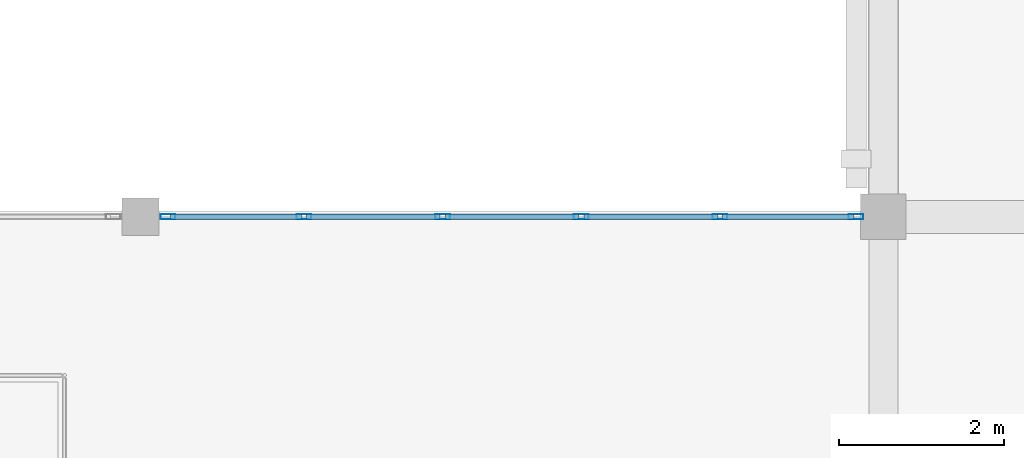
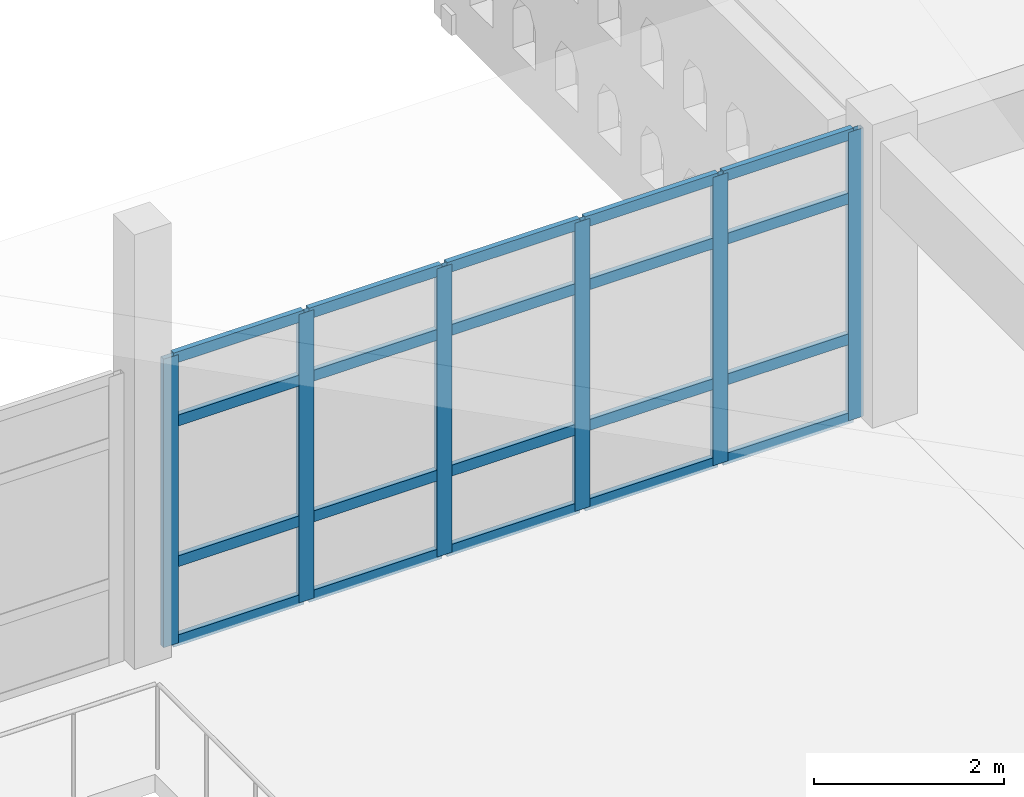
# One storey, part 79 of 156: 26 members, 1 element without a shape of its own.
"""IFC4 building model written with IfcOpenShell, lengths in metres."""

from ifc_helpers import new_model, si_unit, direction, frame, origin, origin_2d, place, context, subcontext, project, spatial, hollow_rectangle, extrude, material, layer, layer_set, material_profile, profile_set, type_object, element, aggregate, save


model = new_model("IFC4")

# Units and contexts
model_context = context("Model", 3, precision=1e-05, world=origin(), true_north=direction((0.0, 1.0)))
body_context = subcontext(model_context, "Body", "Model", "MODEL_VIEW")
ifc_project = project(units=[si_unit("LENGTHUNIT", "METRE"), si_unit("AREAUNIT", "SQUARE_METRE"), si_unit("VOLUMEUNIT", "CUBIC_METRE"), si_unit("PLANEANGLEUNIT", "RADIAN"), si_unit("MASSUNIT", "GRAM", prefix="KILO")], contexts=[model_context])

# Site, building, storey
site_placement = place(None, origin())
site = spatial("IfcSite", under=ifc_project, at=site_placement, CompositionType="ELEMENT")
building_placement = place(site_placement, origin())
building = spatial("IfcBuilding", under=site, at=building_placement, Name="Ornek Quay Market", CompositionType="ELEMENT")
storey_placement = place(building_placement, frame((0.0, 0.0, 4.5)))
storey = spatial("IfcBuildingStorey", under=building, at=storey_placement, Name="L01", CompositionType="ELEMENT", Elevation=4.5)

# Curtain wall, members
ifc_material_1 = material(Name="Anodised bronze aluminium and triple low-e glass", Category="aluminium")
ifc_layer = layer(ifc_material_1, 0.199951171875, Name="Anodised bronze aluminium and triple low-e glass", Category="aluminium")
ifc_layer_set = layer_set([ifc_layer], Name="Anodised bronze aluminium and triple low-e glass")
curtain_wall_type = type_object("IfcCurtainWallType", Name="CW-CONC-MOD1800", PredefinedType="USERDEFINED", material=ifc_layer_set)
curtain_wall_placement = place(storey_placement, origin())
curtain_wall = element("IfcCurtainWall", 1, at=curtain_wall_placement, inside=storey, type_object=curtain_wall_type, Name="Curtain wall CW-043", ObjectType="CURTAIN WALL", PredefinedType="USERDEFINED")
ifc_material_2 = material(Name="Anodised aluminium 6063-T6", Category="aluminium")
ifc_material_profile_1 = material_profile(ifc_material_2, hollow_rectangle(XDim=0.06494140625, YDim=0.179931640625, WallThickness=0.00439453125, at=origin_2d()), Name="CW-MUL-65x180", Category="aluminium")
ifc_profile_set_1 = profile_set([ifc_material_profile_1], Name="Anodised aluminium 6063-T6")
member_type_1 = type_object("IfcMemberType", Name="CW-MUL-65x180", PredefinedType="MULLION", material=ifc_profile_set_1)
member_1_placement = place(storey_placement, frame((144.33251953125, 29.0, 0.0), z_axis=(0.0, 0.0, 1.0), x_axis=(0.0, 1.0, 0.0)))
member_1 = element("IfcMember", 2, at=member_1_placement, type_object=member_type_1, Name="CW-043 mullion 1", PredefinedType="MULLION", context=body_context, shape_type="SweptSolid", body=[
    extrude(hollow_rectangle(XDim=0.06494140625, YDim=0.179931640625, WallThickness=0.00439453125, at=origin_2d()), origin(), (0.0, 0.0, 1.0), 3.7099609375),
])
member_2_placement = place(storey_placement, frame((145.97998046875, 29.0, 0.0), z_axis=(0.0, 0.0, 1.0), x_axis=(0.0, 1.0, 0.0)))
member_2 = element("IfcMember", 3, at=member_2_placement, type_object=member_type_1, Name="CW-043 mullion 2", PredefinedType="MULLION", context=body_context, shape_type="SweptSolid", body=[
    extrude(hollow_rectangle(XDim=0.06494140625, YDim=0.179931640625, WallThickness=0.00439453125, at=origin_2d()), origin(), (0.0, 0.0, 1.0), 3.7099609375),
])
member_3_placement = place(storey_placement, frame((147.659912109375, 29.0, 0.0), z_axis=(0.0, 0.0, 1.0), x_axis=(0.0, 1.0, 0.0)))
member_3 = element("IfcMember", 4, at=member_3_placement, type_object=member_type_1, Name="CW-043 mullion 3", PredefinedType="MULLION", context=body_context, shape_type="SweptSolid", body=[
    extrude(hollow_rectangle(XDim=0.06494140625, YDim=0.179931640625, WallThickness=0.00439453125, at=origin_2d()), origin(), (0.0, 0.0, 1.0), 3.7099609375),
])
member_4_placement = place(storey_placement, frame((149.340087890625, 29.0, 0.0), z_axis=(0.0, 0.0, 1.0), x_axis=(0.0, 1.0, 0.0)))
member_4 = element("IfcMember", 5, at=member_4_placement, type_object=member_type_1, Name="CW-043 mullion 4", PredefinedType="MULLION", context=body_context, shape_type="SweptSolid", body=[
    extrude(hollow_rectangle(XDim=0.06494140625, YDim=0.179931640625, WallThickness=0.00439453125, at=origin_2d()), origin(), (0.0, 0.0, 1.0), 3.7099609375),
])
member_5_placement = place(storey_placement, frame((151.02001953125, 29.0, 0.0), z_axis=(0.0, 0.0, 1.0), x_axis=(0.0, 1.0, 0.0)))
member_5 = element("IfcMember", 6, at=member_5_placement, type_object=member_type_1, Name="CW-043 mullion 5", PredefinedType="MULLION", context=body_context, shape_type="SweptSolid", body=[
    extrude(hollow_rectangle(XDim=0.06494140625, YDim=0.179931640625, WallThickness=0.00439453125, at=origin_2d()), origin(), (0.0, 0.0, 1.0), 3.7099609375),
])
member_6_placement = place(storey_placement, frame((152.66748046875, 29.0, 0.0), z_axis=(0.0, 0.0, 1.0), x_axis=(0.0, 1.0, 0.0)))
member_6 = element("IfcMember", 7, at=member_6_placement, type_object=member_type_1, Name="CW-043 mullion 6", PredefinedType="MULLION", context=body_context, shape_type="SweptSolid", body=[
    extrude(hollow_rectangle(XDim=0.06494140625, YDim=0.179931640625, WallThickness=0.00439453125, at=origin_2d()), origin(), (0.0, 0.0, 1.0), 3.7099609375),
])
ifc_material_profile_2 = material_profile(ifc_material_2, hollow_rectangle(XDim=0.06494140625, YDim=0.139892578125, WallThickness=0.00439453125, at=origin_2d()), Name="CW-TRN-65x140", Category="aluminium")
ifc_profile_set_2 = profile_set([ifc_material_profile_2], Name="Anodised aluminium 6063-T6")
member_type_2 = type_object("IfcMemberType", Name="CW-TRN-65x140", PredefinedType="USERDEFINED", material=ifc_profile_set_2)
member_7_placement = place(storey_placement, frame((144.364990234375, 29.0, 0.032470703125), z_axis=(1.0, 0.0, 0.0), x_axis=(0.0, 1.0, 0.0)))
member_7 = element("IfcMember", 8, at=member_7_placement, type_object=member_type_2, Name="CW-043 transom 1.1", ObjectType="TRANSOM", PredefinedType="USERDEFINED", context=body_context, shape_type="SweptSolid", body=[
    extrude(hollow_rectangle(XDim=0.06494140625, YDim=0.139892578125, WallThickness=0.00439453125, at=origin_2d()), origin(), (0.0, 0.0, 1.0), 1.58251953125),
])
member_8_placement = place(storey_placement, frame((144.364990234375, 29.0, 1.050048828125), z_axis=(1.0, 0.0, 0.0), x_axis=(0.0, 1.0, 0.0)))
member_8 = element("IfcMember", 9, at=member_8_placement, type_object=member_type_2, Name="CW-043 transom 1.2", ObjectType="TRANSOM", PredefinedType="USERDEFINED", context=body_context, shape_type="SweptSolid", body=[
    extrude(hollow_rectangle(XDim=0.06494140625, YDim=0.139892578125, WallThickness=0.00439453125, at=origin_2d()), origin(), (0.0, 0.0, 1.0), 1.58251953125),
])
member_9_placement = place(storey_placement, frame((144.364990234375, 29.0, 2.860107421875), z_axis=(1.0, 0.0, 0.0), x_axis=(0.0, 1.0, 0.0)))
member_9 = element("IfcMember", 10, at=member_9_placement, type_object=member_type_2, Name="CW-043 transom 1.3", ObjectType="TRANSOM", PredefinedType="USERDEFINED", context=body_context, shape_type="SweptSolid", body=[
    extrude(hollow_rectangle(XDim=0.06494140625, YDim=0.139892578125, WallThickness=0.00439453125, at=origin_2d()), origin(), (0.0, 0.0, 1.0), 1.58251953125),
])
member_10_placement = place(storey_placement, frame((144.364990234375, 29.0, 3.677490234375), z_axis=(1.0, 0.0, 0.0), x_axis=(0.0, 1.0, 0.0)))
member_10 = element("IfcMember", 11, at=member_10_placement, type_object=member_type_2, Name="CW-043 transom 1.4", ObjectType="TRANSOM", PredefinedType="USERDEFINED", context=body_context, shape_type="SweptSolid", body=[
    extrude(hollow_rectangle(XDim=0.06494140625, YDim=0.139892578125, WallThickness=0.00439453125, at=origin_2d()), origin(), (0.0, 0.0, 1.0), 1.58251953125),
])
member_11_placement = place(storey_placement, frame((146.012451171875, 29.0, 0.032470703125), z_axis=(1.0, 0.0, 0.0), x_axis=(0.0, 1.0, 0.0)))
member_11 = element("IfcMember", 12, at=member_11_placement, type_object=member_type_2, Name="CW-043 transom 2.1", ObjectType="TRANSOM", PredefinedType="USERDEFINED", context=body_context, shape_type="SweptSolid", body=[
    extrude(hollow_rectangle(XDim=0.06494140625, YDim=0.139892578125, WallThickness=0.00439453125, at=origin_2d()), origin(), (0.0, 0.0, 1.0), 1.614990234375),
])
member_12_placement = place(storey_placement, frame((146.012451171875, 29.0, 1.050048828125), z_axis=(1.0, 0.0, 0.0), x_axis=(0.0, 1.0, 0.0)))
member_12 = element("IfcMember", 13, at=member_12_placement, type_object=member_type_2, Name="CW-043 transom 2.2", ObjectType="TRANSOM", PredefinedType="USERDEFINED", context=body_context, shape_type="SweptSolid", body=[
    extrude(hollow_rectangle(XDim=0.06494140625, YDim=0.139892578125, WallThickness=0.00439453125, at=origin_2d()), origin(), (0.0, 0.0, 1.0), 1.614990234375),
])
member_13_placement = place(storey_placement, frame((146.012451171875, 29.0, 2.860107421875), z_axis=(1.0, 0.0, 0.0), x_axis=(0.0, 1.0, 0.0)))
member_13 = element("IfcMember", 14, at=member_13_placement, type_object=member_type_2, Name="CW-043 transom 2.3", ObjectType="TRANSOM", PredefinedType="USERDEFINED", context=body_context, shape_type="SweptSolid", body=[
    extrude(hollow_rectangle(XDim=0.06494140625, YDim=0.139892578125, WallThickness=0.00439453125, at=origin_2d()), origin(), (0.0, 0.0, 1.0), 1.614990234375),
])
member_14_placement = place(storey_placement, frame((146.012451171875, 29.0, 3.677490234375), z_axis=(1.0, 0.0, 0.0), x_axis=(0.0, 1.0, 0.0)))
member_14 = element("IfcMember", 15, at=member_14_placement, type_object=member_type_2, Name="CW-043 transom 2.4", ObjectType="TRANSOM", PredefinedType="USERDEFINED", context=body_context, shape_type="SweptSolid", body=[
    extrude(hollow_rectangle(XDim=0.06494140625, YDim=0.139892578125, WallThickness=0.00439453125, at=origin_2d()), origin(), (0.0, 0.0, 1.0), 1.614990234375),
])
member_15_placement = place(storey_placement, frame((147.6923828125, 29.0, 0.032470703125), z_axis=(1.0, 0.0, 0.0), x_axis=(0.0, 1.0, 0.0)))
member_15 = element("IfcMember", 16, at=member_15_placement, type_object=member_type_2, Name="CW-043 transom 3.1", ObjectType="TRANSOM", PredefinedType="USERDEFINED", context=body_context, shape_type="SweptSolid", body=[
    extrude(hollow_rectangle(XDim=0.06494140625, YDim=0.139892578125, WallThickness=0.00439453125, at=origin_2d()), origin(), (0.0, 0.0, 1.0), 1.615234375),
])
member_16_placement = place(storey_placement, frame((147.6923828125, 29.0, 1.050048828125), z_axis=(1.0, 0.0, 0.0), x_axis=(0.0, 1.0, 0.0)))
member_16 = element("IfcMember", 17, at=member_16_placement, type_object=member_type_2, Name="CW-043 transom 3.2", ObjectType="TRANSOM", PredefinedType="USERDEFINED", context=body_context, shape_type="SweptSolid", body=[
    extrude(hollow_rectangle(XDim=0.06494140625, YDim=0.139892578125, WallThickness=0.00439453125, at=origin_2d()), origin(), (0.0, 0.0, 1.0), 1.615234375),
])
member_17_placement = place(storey_placement, frame((147.6923828125, 29.0, 2.860107421875), z_axis=(1.0, 0.0, 0.0), x_axis=(0.0, 1.0, 0.0)))
member_17 = element("IfcMember", 18, at=member_17_placement, type_object=member_type_2, Name="CW-043 transom 3.3", ObjectType="TRANSOM", PredefinedType="USERDEFINED", context=body_context, shape_type="SweptSolid", body=[
    extrude(hollow_rectangle(XDim=0.06494140625, YDim=0.139892578125, WallThickness=0.00439453125, at=origin_2d()), origin(), (0.0, 0.0, 1.0), 1.615234375),
])
member_18_placement = place(storey_placement, frame((147.6923828125, 29.0, 3.677490234375), z_axis=(1.0, 0.0, 0.0), x_axis=(0.0, 1.0, 0.0)))
member_18 = element("IfcMember", 19, at=member_18_placement, type_object=member_type_2, Name="CW-043 transom 3.4", ObjectType="TRANSOM", PredefinedType="USERDEFINED", context=body_context, shape_type="SweptSolid", body=[
    extrude(hollow_rectangle(XDim=0.06494140625, YDim=0.139892578125, WallThickness=0.00439453125, at=origin_2d()), origin(), (0.0, 0.0, 1.0), 1.615234375),
])
member_19_placement = place(storey_placement, frame((149.37255859375, 29.0, 0.032470703125), z_axis=(1.0, 0.0, 0.0), x_axis=(0.0, 1.0, 0.0)))
member_19 = element("IfcMember", 20, at=member_19_placement, type_object=member_type_2, Name="CW-043 transom 4.1", ObjectType="TRANSOM", PredefinedType="USERDEFINED", context=body_context, shape_type="SweptSolid", body=[
    extrude(hollow_rectangle(XDim=0.06494140625, YDim=0.139892578125, WallThickness=0.00439453125, at=origin_2d()), origin(), (0.0, 0.0, 1.0), 1.614990234375),
])
member_20_placement = place(storey_placement, frame((149.37255859375, 29.0, 1.050048828125), z_axis=(1.0, 0.0, 0.0), x_axis=(0.0, 1.0, 0.0)))
member_20 = element("IfcMember", 21, at=member_20_placement, type_object=member_type_2, Name="CW-043 transom 4.2", ObjectType="TRANSOM", PredefinedType="USERDEFINED", context=body_context, shape_type="SweptSolid", body=[
    extrude(hollow_rectangle(XDim=0.06494140625, YDim=0.139892578125, WallThickness=0.00439453125, at=origin_2d()), origin(), (0.0, 0.0, 1.0), 1.614990234375),
])
member_21_placement = place(storey_placement, frame((149.37255859375, 29.0, 2.860107421875), z_axis=(1.0, 0.0, 0.0), x_axis=(0.0, 1.0, 0.0)))
member_21 = element("IfcMember", 22, at=member_21_placement, type_object=member_type_2, Name="CW-043 transom 4.3", ObjectType="TRANSOM", PredefinedType="USERDEFINED", context=body_context, shape_type="SweptSolid", body=[
    extrude(hollow_rectangle(XDim=0.06494140625, YDim=0.139892578125, WallThickness=0.00439453125, at=origin_2d()), origin(), (0.0, 0.0, 1.0), 1.614990234375),
])
member_22_placement = place(storey_placement, frame((149.37255859375, 29.0, 3.677490234375), z_axis=(1.0, 0.0, 0.0), x_axis=(0.0, 1.0, 0.0)))
member_22 = element("IfcMember", 23, at=member_22_placement, type_object=member_type_2, Name="CW-043 transom 4.4", ObjectType="TRANSOM", PredefinedType="USERDEFINED", context=body_context, shape_type="SweptSolid", body=[
    extrude(hollow_rectangle(XDim=0.06494140625, YDim=0.139892578125, WallThickness=0.00439453125, at=origin_2d()), origin(), (0.0, 0.0, 1.0), 1.614990234375),
])
member_23_placement = place(storey_placement, frame((151.052490234375, 29.0, 0.032470703125), z_axis=(1.0, 0.0, 0.0), x_axis=(0.0, 1.0, 0.0)))
member_23 = element("IfcMember", 24, at=member_23_placement, type_object=member_type_2, Name="CW-043 transom 5.1", ObjectType="TRANSOM", PredefinedType="USERDEFINED", context=body_context, shape_type="SweptSolid", body=[
    extrude(hollow_rectangle(XDim=0.06494140625, YDim=0.139892578125, WallThickness=0.00439453125, at=origin_2d()), origin(), (0.0, 0.0, 1.0), 1.58251953125),
])
member_24_placement = place(storey_placement, frame((151.052490234375, 29.0, 1.050048828125), z_axis=(1.0, 0.0, 0.0), x_axis=(0.0, 1.0, 0.0)))
member_24 = element("IfcMember", 25, at=member_24_placement, type_object=member_type_2, Name="CW-043 transom 5.2", ObjectType="TRANSOM", PredefinedType="USERDEFINED", context=body_context, shape_type="SweptSolid", body=[
    extrude(hollow_rectangle(XDim=0.06494140625, YDim=0.139892578125, WallThickness=0.00439453125, at=origin_2d()), origin(), (0.0, 0.0, 1.0), 1.58251953125),
])
member_25_placement = place(storey_placement, frame((151.052490234375, 29.0, 2.860107421875), z_axis=(1.0, 0.0, 0.0), x_axis=(0.0, 1.0, 0.0)))
member_25 = element("IfcMember", 26, at=member_25_placement, type_object=member_type_2, Name="CW-043 transom 5.3", ObjectType="TRANSOM", PredefinedType="USERDEFINED", context=body_context, shape_type="SweptSolid", body=[
    extrude(hollow_rectangle(XDim=0.06494140625, YDim=0.139892578125, WallThickness=0.00439453125, at=origin_2d()), origin(), (0.0, 0.0, 1.0), 1.58251953125),
])
member_26_placement = place(storey_placement, frame((151.052490234375, 29.0, 3.677490234375), z_axis=(1.0, 0.0, 0.0), x_axis=(0.0, 1.0, 0.0)))
member_26 = element("IfcMember", 27, at=member_26_placement, type_object=member_type_2, Name="CW-043 transom 5.4", ObjectType="TRANSOM", PredefinedType="USERDEFINED", context=body_context, shape_type="SweptSolid", body=[
    extrude(hollow_rectangle(XDim=0.06494140625, YDim=0.139892578125, WallThickness=0.00439453125, at=origin_2d()), origin(), (0.0, 0.0, 1.0), 1.58251953125),
])
aggregate(curtain_wall, [member_1, member_2, member_3, member_4, member_5, member_6, member_7, member_8, member_9, member_10, member_11, member_12, member_13, member_14, member_15, member_16, member_17, member_18, member_19, member_20, member_21, member_22, member_23, member_24, member_25, member_26])

save(model, "model.ifc")
